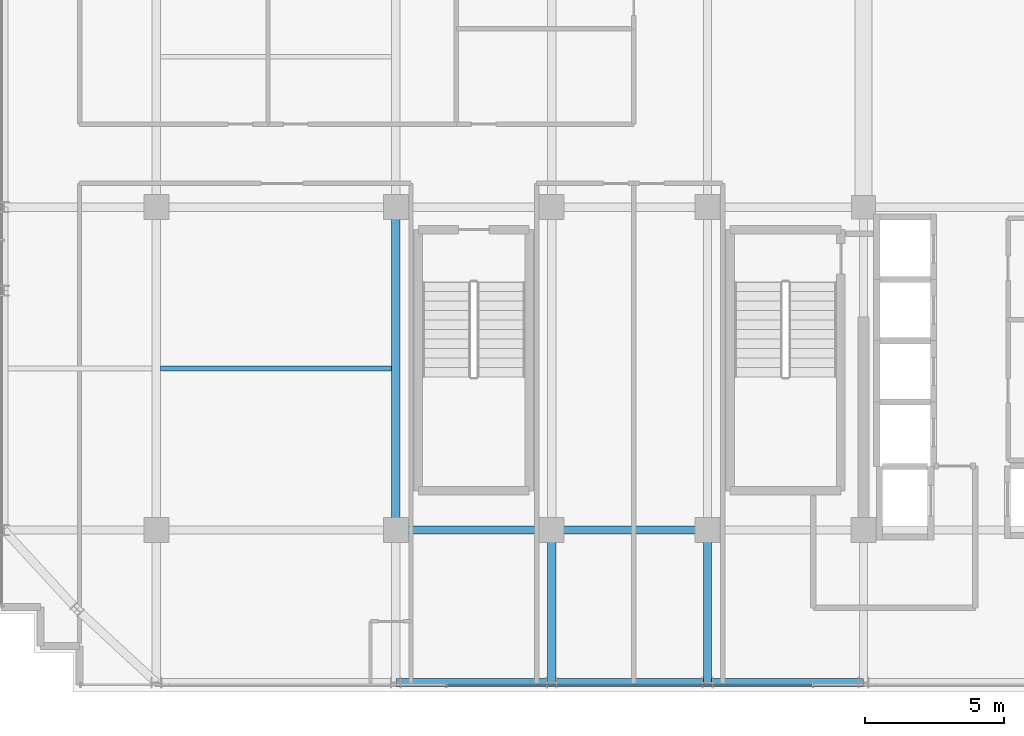
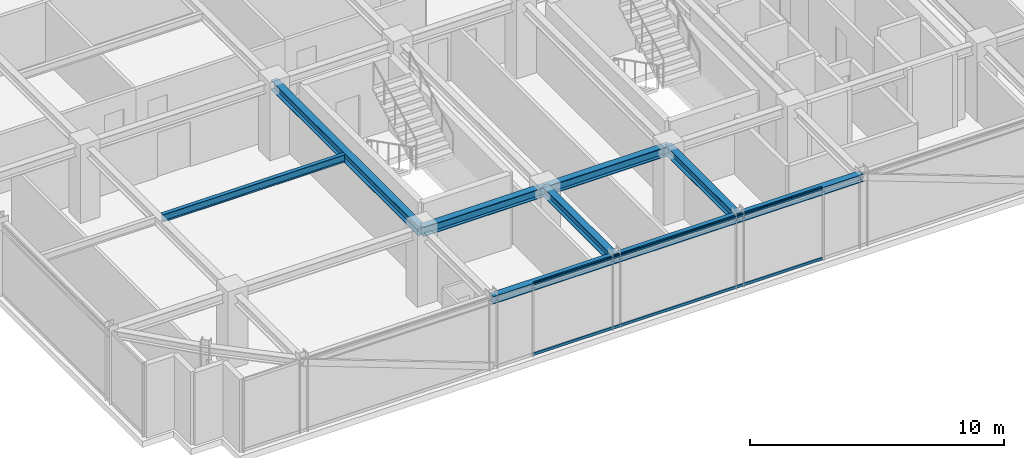
# One storey, part 7 of 31: 9 beams, 2 members, 1 element without a shape of its own.
"""IFC4 building model written with IfcOpenShell, lengths in metres."""

from ifc_helpers import new_model, si_unit, direction, frame, origin, origin_2d, place, context, subcontext, project, spatial, hollow_rectangle, i_section, extrude, source, transform, mapped, material, material_profile, profile_set, type_object, element, aggregate, save


model = new_model("IFC4")

# Units and contexts
model_context = context("Model", 3, precision=1e-05, world=origin(), true_north=direction((0.0, 1.0)))
body_context = subcontext(model_context, "Body", "Model", "MODEL_VIEW")
ifc_project = project(units=[si_unit("LENGTHUNIT", "METRE"), si_unit("AREAUNIT", "SQUARE_METRE"), si_unit("VOLUMEUNIT", "CUBIC_METRE"), si_unit("PLANEANGLEUNIT", "RADIAN"), si_unit("MASSUNIT", "GRAM", prefix="KILO")], contexts=[model_context])

# Site, building, storey
site_placement = place(None, origin())
site = spatial("IfcSite", under=ifc_project, at=site_placement, CompositionType="ELEMENT")
building_placement = place(site_placement, origin())
building = spatial("IfcBuilding", under=site, at=building_placement, Name="Nahalor Promenade Grand Hotel", CompositionType="ELEMENT")
storey_placement = place(building_placement, frame((0.0, 0.0, 327.14990234375)))
storey = spatial("IfcBuildingStorey", under=building, at=storey_placement, Name="L84", CompositionType="ELEMENT", Elevation=327.14990234375)

# Beams
ifc_material_1 = material(Name="Steel S355JR", Category="steel")
ifc_material_profile_1 = material_profile(ifc_material_1, i_section(OverallWidth=0.3, OverallDepth=0.45, WebThickness=0.014, FlangeThickness=0.026, at=origin_2d()), Name="HEB 450")
ifc_profile_set_1 = profile_set([ifc_material_profile_1], Name="Steel S355JR")
beam_type_1 = type_object("IfcBeamType", Name="Beam-Girder-HEB450", PredefinedType="BEAM", material=ifc_profile_set_1)
shared_shape_1 = source(origin(), body_context, "Body", "SweptSolid", [
    extrude(i_section(OverallWidth=0.3, OverallDepth=0.45, WebThickness=0.014, FlangeThickness=0.026, at=origin_2d()), origin(), (0.0, 0.0, 1.0), 5.599853515625),
])
beam_1_placement = place(storey_placement, frame((-8.39990234375, -17.0, 3.275146484375), z_axis=(1.0, 0.0, 0.0), x_axis=(0.0, 1.0, 0.0)))
element("IfcBeam", 1, at=beam_1_placement, inside=storey, type_object=beam_type_1, Name="BM-L84-GX-0-2", PredefinedType="BEAM", context=body_context, shape_type="MappedRepresentation", body=[
    mapped(shared_shape_1, transform((0.0, 0.0, 0.0), scale=1.0)),
])
shared_shape_2 = source(origin(), body_context, "Body", "SweptSolid", [
    extrude(i_section(OverallWidth=0.3, OverallDepth=0.45, WebThickness=0.014, FlangeThickness=0.026, at=origin_2d()), origin(), (0.0, 0.0, 1.0), 5.60009765625),
])
beam_2_placement = place(storey_placement, frame((-2.800048828125, -17.0, 3.275146484375), z_axis=(1.0, 0.0, 0.0), x_axis=(0.0, 1.0, 0.0)))
element("IfcBeam", 2, at=beam_2_placement, inside=storey, type_object=beam_type_1, Name="BM-L84-GX-0-3", PredefinedType="BEAM", context=body_context, shape_type="MappedRepresentation", body=[
    mapped(shared_shape_2, transform((0.0, 0.0, 0.0), scale=1.0)),
])
shared_shape_3 = source(origin(), body_context, "Body", "SweptSolid", [
    extrude(i_section(OverallWidth=0.3, OverallDepth=0.45, WebThickness=0.014, FlangeThickness=0.026, at=origin_2d()), origin(), (0.0, 0.0, 1.0), 11.60009765625),
])
beam_3_placement = place(storey_placement, frame((-8.39990234375, -17.0, 3.275146484375), z_axis=(0.0, 1.0, 0.0), x_axis=(-1.0, 0.0, 0.0)))
element("IfcBeam", 3, at=beam_3_placement, inside=storey, type_object=beam_type_1, Name="BM-L84-GY-1-1", PredefinedType="BEAM", context=body_context, shape_type="MappedRepresentation", body=[
    mapped(shared_shape_3, transform((0.0, 0.0, 0.0), scale=1.0)),
])
shared_shape_4 = source(origin(), body_context, "Body", "SweptSolid", [
    extrude(i_section(OverallWidth=0.3, OverallDepth=0.45, WebThickness=0.014, FlangeThickness=0.026, at=origin_2d()), origin(), (0.0, 0.0, 1.0), 5.47998046875),
])
for number, where, z_axis, x_axis, name in (
    (4, (-2.800048828125, -22.47998046875, 3.275146484375), (0.0, 1.0, 0.0), (-1.0, 0.0, 0.0), "BM-L84-GY-2-0"),
    (5, (2.800048828125, -22.47998046875, 3.275146484375), (0.0, 1.0, 0.0), (-1.0, 0.0, 0.0), "BM-L84-GY-3-0"),
):
    element("IfcBeam", number, at=place(storey_placement, frame(where, z_axis=z_axis, x_axis=x_axis)), inside=storey, type_object=beam_type_1, Name=name, PredefinedType="BEAM", context=body_context, shape_type="MappedRepresentation", body=[
        mapped(shared_shape_4, transform((0.0, 0.0, 0.0), scale=1.0)),
    ])
ifc_material_profile_2 = material_profile(ifc_material_1, i_section(OverallWidth=0.3, OverallDepth=0.36, WebThickness=0.0125, FlangeThickness=0.0225, at=origin_2d()), Name="HEB 360")
ifc_profile_set_2 = profile_set([ifc_material_profile_2], Name="Steel S355JR")
beam_type_2 = type_object("IfcBeamType", Name="Beam-Spandrel-HEB360", PredefinedType="SPANDREL", material=ifc_profile_set_2)
shared_shape_5 = source(origin(), body_context, "Body", "SweptSolid", [
    extrude(i_section(OverallWidth=0.3, OverallDepth=0.36, WebThickness=0.0125, FlangeThickness=0.0225, at=origin_2d()), origin(), (0.0, 0.0, 1.0), 5.599853515625),
])
for number, where, z_axis, x_axis, name in (
    (6, (-8.39990234375, -22.47998046875, 3.320068359375), (1.0, 0.0, 0.0), (0.0, 1.0, 0.0), "BM-L84-SP-S-1"),
    (7, (2.800048828125, -22.47998046875, 3.320068359375), (1.0, 0.0, 0.0), (0.0, 1.0, 0.0), "BM-L84-SP-S-3"),
):
    element("IfcBeam", number, at=place(storey_placement, frame(where, z_axis=z_axis, x_axis=x_axis)), inside=storey, type_object=beam_type_2, Name=name, PredefinedType="SPANDREL", context=body_context, shape_type="MappedRepresentation", body=[
        mapped(shared_shape_5, transform((0.0, 0.0, 0.0), scale=1.0)),
    ])
shared_shape_6 = source(origin(), body_context, "Body", "SweptSolid", [
    extrude(i_section(OverallWidth=0.3, OverallDepth=0.36, WebThickness=0.0125, FlangeThickness=0.0225, at=origin_2d()), origin(), (0.0, 0.0, 1.0), 5.60009765625),
])
beam_4_placement = place(storey_placement, frame((-2.800048828125, -22.47998046875, 3.320068359375), z_axis=(1.0, 0.0, 0.0), x_axis=(0.0, 1.0, 0.0)))
element("IfcBeam", 8, at=beam_4_placement, inside=storey, type_object=beam_type_2, Name="BM-L84-SP-S-2", PredefinedType="SPANDREL", context=body_context, shape_type="MappedRepresentation", body=[
    mapped(shared_shape_6, transform((0.0, 0.0, 0.0), scale=1.0)),
])
ifc_material_profile_3 = material_profile(ifc_material_1, i_section(OverallWidth=0.17, OverallDepth=0.36, WebThickness=0.008, FlangeThickness=0.0127, at=origin_2d()), Name="IPE 360")
ifc_profile_set_3 = profile_set([ifc_material_profile_3], Name="Steel S355JR")
beam_type_3 = type_object("IfcBeamType", Name="Beam-Joist-IPE360", PredefinedType="JOIST", material=ifc_profile_set_3)
shared_shape_7 = source(origin(), body_context, "Body", "SweptSolid", [
    extrude(i_section(OverallWidth=0.17, OverallDepth=0.36, WebThickness=0.008, FlangeThickness=0.0127, at=origin_2d()), origin(), (0.0, 0.0, 1.0), 8.300048828125),
])
beam_5_placement = place(storey_placement, frame((-16.85009765625, -11.199951171875, 3.320068359375), z_axis=(1.0, 0.0, 0.0), x_axis=(0.0, 1.0, 0.0)))
element("IfcBeam", 9, at=beam_5_placement, inside=storey, type_object=beam_type_3, Name="BM-L84-JSW-0-1", PredefinedType="JOIST", context=body_context, shape_type="MappedRepresentation", body=[
    mapped(shared_shape_7, transform((0.0, 0.0, 0.0), scale=1.0)),
])

# Curtain wall, members
ifc_material_2 = material(Name="Anodised Bronze Aluminium EN AW-6063 T6", Category="aluminium")
curtain_wall_type = type_object("IfcCurtainWallType", Name="CW2 Typical Hotel Flush Bronze Unitised Curtain Wall", PredefinedType="USERDEFINED", material=ifc_material_2)
curtain_wall_placement = place(storey_placement, origin())
curtain_wall = element("IfcCurtainWall", 10, at=curtain_wall_placement, inside=storey, type_object=curtain_wall_type, Name="L84 Curtain Wall CW-L84-S-1", ObjectType="UNITISED_CURTAIN_WALL", PredefinedType="USERDEFINED")
ifc_material_profile_4 = material_profile(ifc_material_2, hollow_rectangle(XDim=0.065, YDim=0.13, WallThickness=0.004, at=origin_2d()), Name="CWT 65x130x4")
ifc_profile_set_4 = profile_set([ifc_material_profile_4], Name="Anodised Bronze Aluminium EN AW-6063 T6")
member_type = type_object("IfcMemberType", Name="CWT2 Typical Bronze Transom 65x130", PredefinedType="USERDEFINED", material=ifc_profile_set_4)
shared_shape_8 = source(origin(), body_context, "Body", "SweptSolid", [
    extrude(hollow_rectangle(XDim=0.065, YDim=0.13, WallThickness=0.004, at=origin_2d()), origin(), (0.0, 0.0, 1.0), 13.1083984375),
])
member_1_placement = place(storey_placement, frame((-6.55419921875, -22.56005859375, 0.065185546875), z_axis=(1.0, 0.0, 0.0), x_axis=(0.0, 1.0, 0.0)))
member_1 = element("IfcMember", 11, at=member_1_placement, type_object=member_type, Name="CW-L84-S-1 Transom 1-0", ObjectType="TRANSOM", PredefinedType="USERDEFINED", context=body_context, shape_type="MappedRepresentation", body=[
    mapped(shared_shape_8, transform((0.0, 0.0, 0.0), scale=1.0)),
])
member_2_placement = place(storey_placement, frame((-6.55419921875, -22.56005859375, 3.43505859375), z_axis=(1.0, 0.0, 0.0), x_axis=(0.0, 1.0, 0.0)))
member_2 = element("IfcMember", 12, at=member_2_placement, type_object=member_type, Name="CW-L84-S-1 Transom 1-1", ObjectType="TRANSOM", PredefinedType="USERDEFINED", context=body_context, shape_type="MappedRepresentation", body=[
    mapped(shared_shape_8, transform((0.0, 0.0, 0.0), scale=1.0)),
])
aggregate(curtain_wall, [member_1, member_2])

save(model, "model.ifc")
